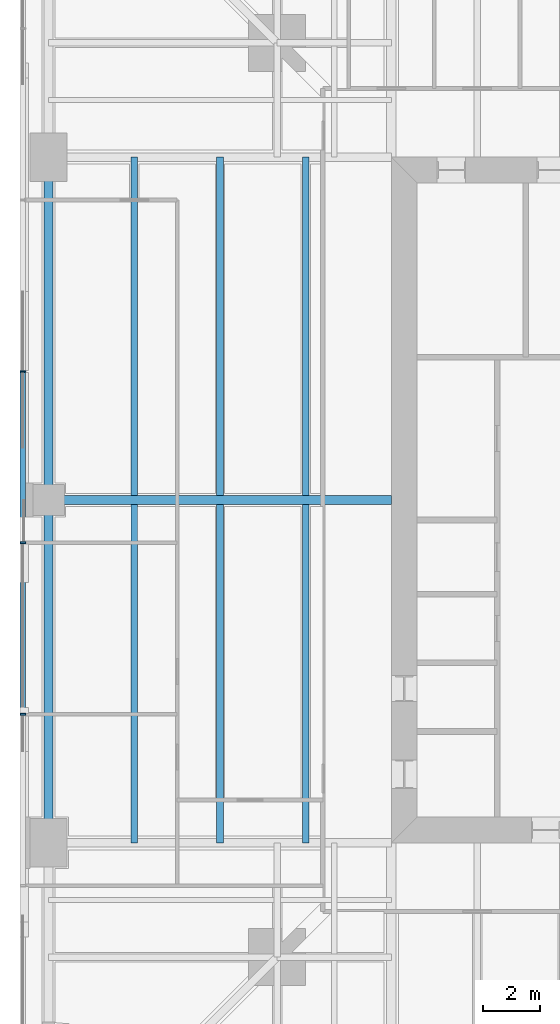
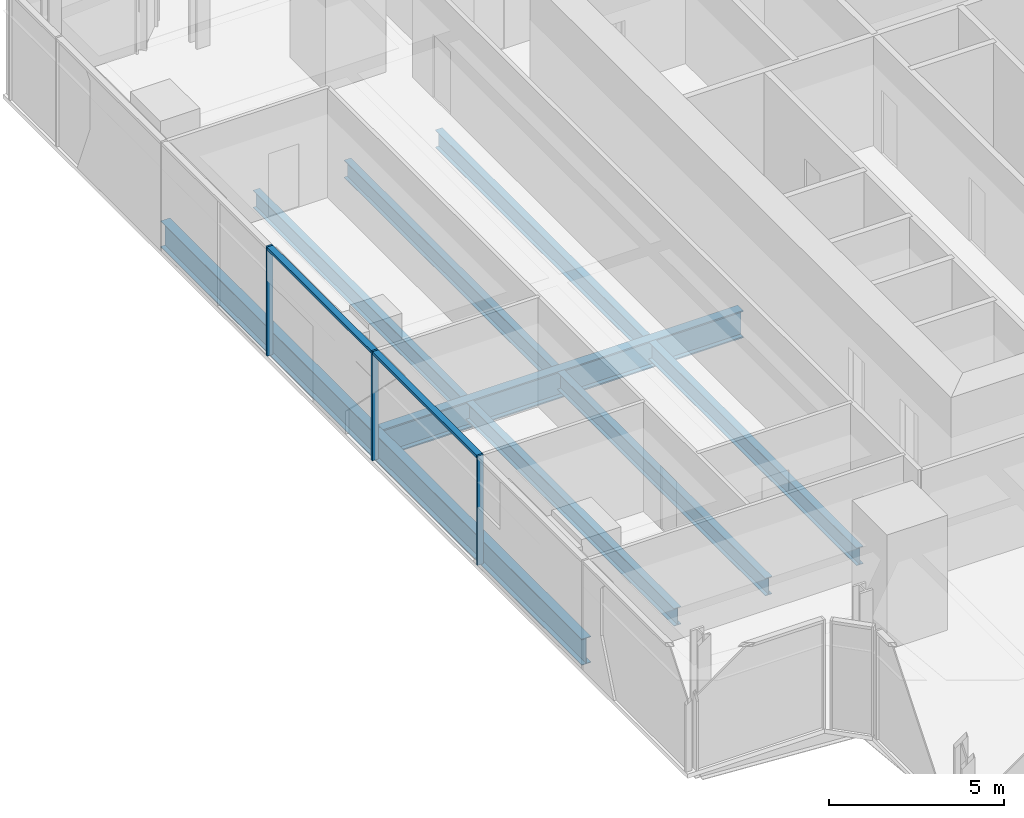
# One storey, part 4 of 15: 9 beams, 5 members, 1 element without a shape of its own.
"""IFC4 building model written with IfcOpenShell, lengths in metres."""

from ifc_helpers import new_model, si_unit, direction, frame, origin, origin_2d, place, context, subcontext, project, spatial, rectangle, i_section, extrude, material, material_profile, profile_set, type_object, element, aggregate, save


model = new_model("IFC4")

# Units and contexts
model_context = context("Model", 3, precision=1e-05, world=origin(), true_north=direction((0.0, 1.0)))
body_context = subcontext(model_context, "Body", "Model", "MODEL_VIEW")
ifc_project = project(units=[si_unit("LENGTHUNIT", "METRE"), si_unit("AREAUNIT", "SQUARE_METRE"), si_unit("VOLUMEUNIT", "CUBIC_METRE"), si_unit("PLANEANGLEUNIT", "RADIAN"), si_unit("MASSUNIT", "GRAM", prefix="KILO")], contexts=[model_context])

# Site, building, storey
site_placement = place(None, origin())
site = spatial("IfcSite", under=ifc_project, at=site_placement, CompositionType="ELEMENT")
building_placement = place(site_placement, origin())
building = spatial("IfcBuilding", under=site, at=building_placement, Name="Fenwick Lantern Interchange", CompositionType="ELEMENT")
storey_placement = place(building_placement, frame((0.0, 0.0, 229.800048828125)))
storey = spatial("IfcBuildingStorey", under=building, at=storey_placement, Name="L54", CompositionType="ELEMENT", Elevation=229.800048828125)

# Beams
ifc_material_1 = material(Name="Steel ASTM A992 Grade 50", Category="steel")
ifc_material_profile_1 = material_profile(ifc_material_1, i_section(OverallWidth=0.3046875, OverallDepth=0.911865234375, WebThickness=0.015869140625, FlangeThickness=0.02392578125, at=origin_2d()), Name="W36X150")
ifc_profile_set_1 = profile_set([ifc_material_profile_1], Name="Steel ASTM A992 Grade 50")
beam_type_1 = type_object("IfcBeamType", Name="EDGE BEAM W36X150", PredefinedType="SPANDREL", material=ifc_profile_set_1)
for number, where, z_axis, x_axis, name in (
    (1, (1.0, 37.0, -0.60595703125), (0.0, -1.0, 0.0), (1.0, 0.0, 0.0), "L54/FR/W/EB2"),
    (2, (1.0, 25.0, -0.60595703125), (0.0, -1.0, 0.0), (1.0, 0.0, 0.0), "L54/FR/W/EB3"),
):
    element("IfcBeam", number, at=place(storey_placement, frame(where, z_axis=z_axis, x_axis=x_axis)), inside=storey, type_object=beam_type_1, Name=name, PredefinedType="SPANDREL", context=body_context, shape_type="SweptSolid", body=[
        extrude(i_section(OverallWidth=0.3046875, OverallDepth=0.911865234375, WebThickness=0.015869140625, FlangeThickness=0.02392578125, at=origin_2d()), origin(), (0.0, 0.0, 1.0), 12.0),
    ])
ifc_material_profile_2 = material_profile(ifc_material_1, i_section(OverallWidth=0.22900390625, OverallDepth=0.612060546875, WebThickness=0.011962890625, FlangeThickness=0.01953125, at=origin_2d()), Name="W24X84")
ifc_profile_set_2 = profile_set([ifc_material_profile_2], Name="Steel ASTM A992 Grade 50")
beam_type_2 = type_object("IfcBeamType", Name="FLOOR BEAM W24X84", PredefinedType="BEAM", material=ifc_profile_set_2)
for number, where, z_axis, x_axis, name in (
    (3, (4.0, 37.0, -0.4560546875), (0.0, -1.0, 0.0), (1.0, 0.0, 0.0), "L54/FR/W/B01"),
    (4, (7.0, 37.0, -0.4560546875), (0.0, -1.0, 0.0), (1.0, 0.0, 0.0), "L54/FR/W/B02"),
    (5, (10.0, 37.0, -0.4560546875), (0.0, -1.0, 0.0), (1.0, 0.0, 0.0), "L54/FR/W/B03"),
    (6, (4.0, 24.844970703125, -0.4560546875), (0.0, -1.0, 0.0), (1.0, 0.0, 0.0), "L54/FR/W/B04"),
    (7, (7.0, 24.844970703125, -0.4560546875), (0.0, -1.0, 0.0), (1.0, 0.0, 0.0), "L54/FR/W/B05"),
    (8, (10.0, 24.844970703125, -0.4560546875), (0.0, -1.0, 0.0), (1.0, 0.0, 0.0), "L54/FR/W/B06"),
):
    element("IfcBeam", number, at=place(storey_placement, frame(where, z_axis=z_axis, x_axis=x_axis)), inside=storey, type_object=beam_type_2, Name=name, PredefinedType="BEAM", context=body_context, shape_type="SweptSolid", body=[
        extrude(i_section(OverallWidth=0.22900390625, OverallDepth=0.612060546875, WebThickness=0.011962890625, FlangeThickness=0.01953125, at=origin_2d()), origin(), (0.0, 0.0, 1.0), 11.844970703125),
    ])
ifc_material_profile_3 = material_profile(ifc_material_1, i_section(OverallWidth=0.309814453125, OverallDepth=0.949951171875, WebThickness=0.0244140625, FlangeThickness=0.0439453125, at=origin_2d()), Name="W36X256")
ifc_profile_set_3 = profile_set([ifc_material_profile_3], Name="Steel ASTM A992 Grade 50")
beam_type_3 = type_object("IfcBeamType", Name="MOMENT-CONNECTED GIRDER W36X256", PredefinedType="BEAM", material=ifc_profile_set_3)
beam_placement = place(storey_placement, frame((1.0, 25.0, -0.625), z_axis=(1.0, 0.0, 0.0), x_axis=(0.0, 1.0, 0.0)))
element("IfcBeam", 9, at=beam_placement, inside=storey, type_object=beam_type_3, Name="L54/FR/W/R02", PredefinedType="BEAM", context=body_context, shape_type="SweptSolid", body=[
    extrude(i_section(OverallWidth=0.309814453125, OverallDepth=0.949951171875, WebThickness=0.0244140625, FlangeThickness=0.0439453125, at=origin_2d()), origin(), (0.0, 0.0, 1.0), 12.0),
])

# Curtain wall, members
ifc_material_2 = material(Name="Aluminium curtain wall frame", Category="aluminium")
curtain_wall_type = type_object("IfcCurtainWallType", Name="OFFICE CURTAIN WALL", PredefinedType="USERDEFINED", material=ifc_material_2)
curtain_wall_placement = place(storey_placement, origin())
curtain_wall = element("IfcCurtainWall", 10, at=curtain_wall_placement, inside=storey, type_object=curtain_wall_type, Name="Office curtain wall 13", ObjectType="OFFICE CURTAIN WALL", PredefinedType="USERDEFINED")
ifc_material_3 = material(Name="Aluminium extrusion", Category="aluminium")
ifc_material_profile_4 = material_profile(ifc_material_3, rectangle(XDim=0.199951171875, YDim=0.06494140625, at=origin_2d()), Name="OFFICE CURTAIN WALL MULLION 65 X 200")
ifc_profile_set_4 = profile_set([ifc_material_profile_4], Name="Aluminium extrusion")
member_type_1 = type_object("IfcMemberType", Name="OFFICE CURTAIN WALL MULLION 65 X 200", PredefinedType="MULLION", material=ifc_profile_set_4)
member_1_placement = place(storey_placement, frame((0.10009765625, 29.5, 0.0), z_axis=(0.0, 0.0, 1.0), x_axis=(1.0, 0.0, 0.0)))
member_1 = element("IfcMember", 11, at=member_1_placement, type_object=member_type_1, Name="L54/CW/13/M03", PredefinedType="MULLION", context=body_context, shape_type="SweptSolid", body=[
    extrude(rectangle(XDim=0.199951171875, YDim=0.06494140625, at=origin_2d()), origin(), (0.0, 0.0, 1.0), 3.800048828125),
])
member_2_placement = place(storey_placement, frame((0.10009765625, 23.5, 0.0), z_axis=(0.0, 0.0, 1.0), x_axis=(1.0, 0.0, 0.0)))
member_2 = element("IfcMember", 12, at=member_2_placement, type_object=member_type_1, Name="L54/CW/13/M04", PredefinedType="MULLION", context=body_context, shape_type="SweptSolid", body=[
    extrude(rectangle(XDim=0.199951171875, YDim=0.06494140625, at=origin_2d()), origin(), (0.0, 0.0, 1.0), 3.800048828125),
])
member_3_placement = place(storey_placement, frame((0.10009765625, 17.5, 0.0), z_axis=(0.0, 0.0, 1.0), x_axis=(1.0, 0.0, 0.0)))
member_3 = element("IfcMember", 13, at=member_3_placement, type_object=member_type_1, Name="L54/CW/13/M05", PredefinedType="MULLION", context=body_context, shape_type="SweptSolid", body=[
    extrude(rectangle(XDim=0.199951171875, YDim=0.06494140625, at=origin_2d()), origin(), (0.0, 0.0, 1.0), 3.800048828125),
])
ifc_material_profile_5 = material_profile(ifc_material_3, rectangle(XDim=0.199951171875, YDim=0.10009765625, at=origin_2d()), Name="OFFICE CURTAIN WALL TRANSOM 100 X 200")
ifc_profile_set_5 = profile_set([ifc_material_profile_5], Name="Aluminium extrusion")
member_type_2 = type_object("IfcMemberType", Name="OFFICE CURTAIN WALL TRANSOM 100 X 200", PredefinedType="MULLION", material=ifc_profile_set_5)
member_4_placement = place(storey_placement, frame((0.10009765625, 29.467529296875, 3.75), z_axis=(0.0, -1.0, 0.0), x_axis=(1.0, 0.0, 0.0)))
member_4 = element("IfcMember", 14, at=member_4_placement, type_object=member_type_2, Name="L54/CW/13/T03", PredefinedType="MULLION", context=body_context, shape_type="SweptSolid", body=[
    extrude(rectangle(XDim=0.199951171875, YDim=0.10009765625, at=origin_2d()), origin(), (0.0, 0.0, 1.0), 5.93505859375),
])
member_5_placement = place(storey_placement, frame((0.10009765625, 23.467529296875, 3.75), z_axis=(0.0, -1.0, 0.0), x_axis=(1.0, 0.0, 0.0)))
member_5 = element("IfcMember", 15, at=member_5_placement, type_object=member_type_2, Name="L54/CW/13/T04", PredefinedType="MULLION", context=body_context, shape_type="SweptSolid", body=[
    extrude(rectangle(XDim=0.199951171875, YDim=0.10009765625, at=origin_2d()), origin(), (0.0, 0.0, 1.0), 5.93505859375),
])
aggregate(curtain_wall, [member_1, member_2, member_3, member_4, member_5])

save(model, "model.ifc")
